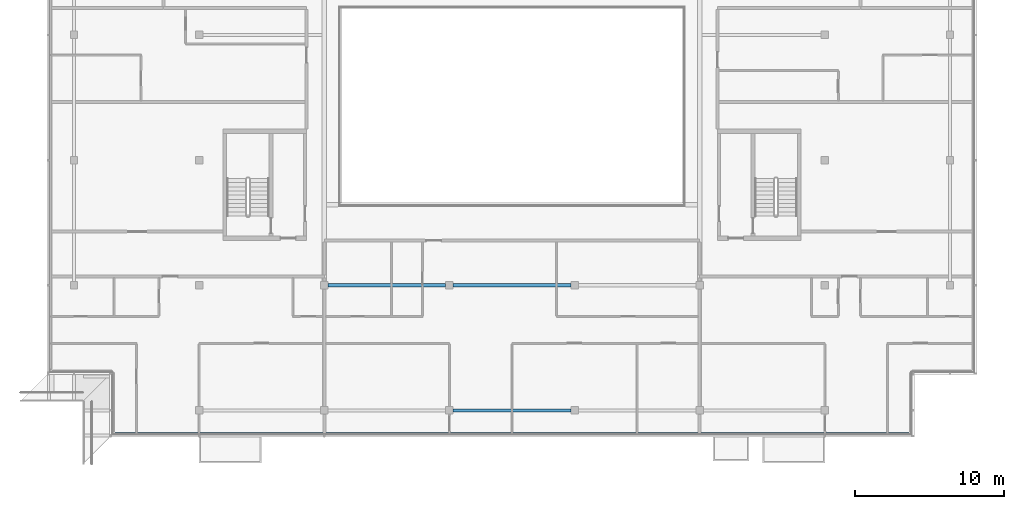
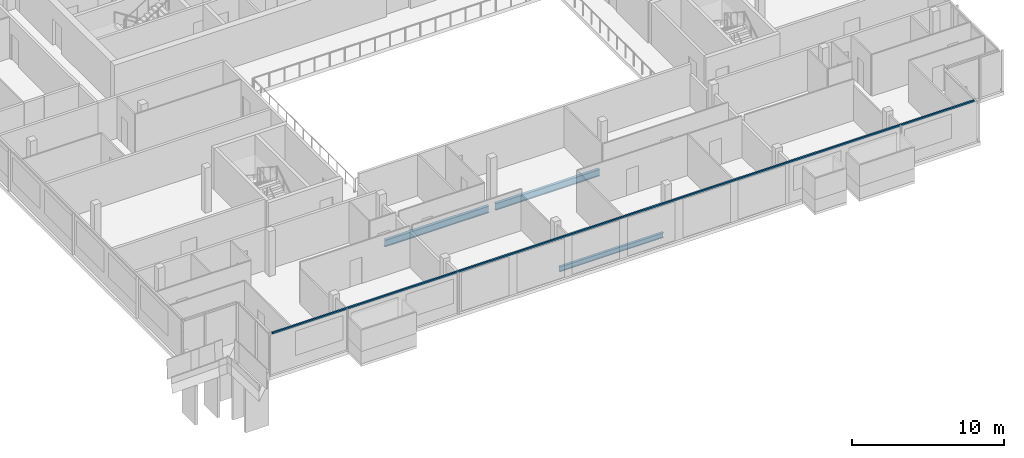
# One storey, part 3 of 24: 3 beams, 1 member, 1 element without a shape of its own.
"""IFC4 building model written with IfcOpenShell, lengths in metres."""

from ifc_helpers import new_model, si_unit, direction, frame, origin, origin_2d, place, context, subcontext, project, spatial, rectangle, i_section, extrude, material, material_profile, profile_set, type_object, element, aggregate, save


model = new_model("IFC4")

# Units and contexts
model_context = context("Model", 3, precision=1e-05, world=origin(), true_north=direction((0.0, 1.0)))
body_context = subcontext(model_context, "Body", "Model", "MODEL_VIEW")
ifc_project = project(units=[si_unit("LENGTHUNIT", "METRE"), si_unit("AREAUNIT", "SQUARE_METRE"), si_unit("VOLUMEUNIT", "CUBIC_METRE"), si_unit("PLANEANGLEUNIT", "RADIAN"), si_unit("MASSUNIT", "GRAM", prefix="KILO")], contexts=[model_context])

# Site, building, storey
site_placement = place(None, origin())
site = spatial("IfcSite", under=ifc_project, at=site_placement, CompositionType="ELEMENT")
building_placement = place(site_placement, origin())
building = spatial("IfcBuilding", under=site, at=building_placement, Name="Saffron Gate Tower", CompositionType="ELEMENT")
storey_placement = place(building_placement, frame((0.0, 0.0, 281.550048828125)))
storey = spatial("IfcBuildingStorey", under=building, at=storey_placement, Name="L68", CompositionType="ELEMENT", Elevation=281.550048828125)

# Beams
ifc_material_1 = material(Name="Structural steel S355", Category="steel")
ifc_material_profile_1 = material_profile(ifc_material_1, i_section(OverallWidth=0.2099609375, OverallDepth=0.550048828125, WebThickness=0.010986328125, FlangeThickness=0.01708984375, FilletRadius=0.02392578125, at=origin_2d()))
ifc_profile_set_1 = profile_set([ifc_material_profile_1], Name="Structural steel S355")
beam_type_1 = type_object("IfcBeamType", Name="B12 IPE 550", PredefinedType="BEAM", material=ifc_profile_set_1)
beam_1_placement = place(storey_placement, frame((75.25, 40.199951171875, -0.554931640625), z_axis=(1.0, 0.0, 0.0), x_axis=(0.0, 1.0, 0.0)))
element("IfcBeam", 1, at=beam_1_placement, inside=storey, type_object=beam_type_1, Name="B12 FLOOR GIRDER", PredefinedType="BEAM", context=body_context, shape_type="SweptSolid", body=[
    extrude(i_section(OverallWidth=0.2099609375, OverallDepth=0.550048828125, WebThickness=0.010986328125, FlangeThickness=0.01708984375, FilletRadius=0.02392578125, at=origin_2d()), origin(), (0.0, 0.0, 1.0), 7.89990234375),
])
beam_2_placement = place(storey_placement, frame((83.64990234375, 40.199951171875, -0.554931640625), z_axis=(1.0, 0.0, 0.0), x_axis=(0.0, 1.0, 0.0)))
element("IfcBeam", 2, at=beam_2_placement, inside=storey, type_object=beam_type_1, Name="B12 FLOOR GIRDER", PredefinedType="BEAM", context=body_context, shape_type="SweptSolid", body=[
    extrude(i_section(OverallWidth=0.2099609375, OverallDepth=0.550048828125, WebThickness=0.010986328125, FlangeThickness=0.01708984375, FilletRadius=0.02392578125, at=origin_2d()), origin(), (0.0, 0.0, 1.0), 7.900146484375),
])
ifc_material_profile_2 = material_profile(ifc_material_1, i_section(OverallWidth=0.179931640625, OverallDepth=0.39990234375, WebThickness=0.008544921875, FlangeThickness=0.013427734375, FilletRadius=0.02099609375, at=origin_2d()))
ifc_profile_set_2 = profile_set([ifc_material_profile_2], Name="Structural steel S355")
beam_type_2 = type_object("IfcBeamType", Name="B5 IPE 400", PredefinedType="SPANDREL", material=ifc_profile_set_2)
beam_3_placement = place(storey_placement, frame((83.64990234375, 31.800048828125, -0.47998046875), z_axis=(1.0, 0.0, 0.0), x_axis=(0.0, 1.0, 0.0)))
element("IfcBeam", 3, at=beam_3_placement, inside=storey, type_object=beam_type_2, Name="B5 SPANDREL BEAM", PredefinedType="SPANDREL", context=body_context, shape_type="SweptSolid", body=[
    extrude(i_section(OverallWidth=0.179931640625, OverallDepth=0.39990234375, WebThickness=0.008544921875, FlangeThickness=0.013427734375, FilletRadius=0.02099609375, at=origin_2d()), origin(), (0.0, 0.0, 1.0), 7.900146484375),
])

# Curtain wall, member
ifc_material_2 = material(Name="Aluminium, bronze anodised", Category="aluminium")
curtain_wall_type = type_object("IfcCurtainWallType", Name="CWS1 curtain wall front facade", PredefinedType="NOTDEFINED", material=ifc_material_2)
curtain_wall_placement = place(storey_placement, origin())
curtain_wall = element("IfcCurtainWall", 4, at=curtain_wall_placement, inside=storey, type_object=curtain_wall_type, Name="CWS1 run 1", PredefinedType="NOTDEFINED")
ifc_material_profile_3 = material_profile(ifc_material_2, rectangle(XDim=0.1201171875, YDim=0.1201171875, at=origin_2d()))
ifc_profile_set_3 = profile_set([ifc_material_profile_3], Name="Aluminium, bronze anodised")
member_type = type_object("IfcMemberType", Name="CWS1 head transom", PredefinedType="USERDEFINED", material=ifc_profile_set_3)
member_placement = place(storey_placement, frame((60.968017578125, 30.248046875, 3.260009765625), z_axis=(1.0, 0.0, 0.0), x_axis=(0.0, 1.0, 0.0)))
member = element("IfcMember", 5, at=member_placement, type_object=member_type, Name="CWS1 head transom", ObjectType="TRANSOM", PredefinedType="USERDEFINED", context=body_context, shape_type="SweptSolid", body=[
    extrude(rectangle(XDim=0.1201171875, YDim=0.1201171875, at=origin_2d()), origin(), (0.0, 0.0, 1.0), 53.263916015625),
])
aggregate(curtain_wall, [member])

save(model, "model.ifc")
